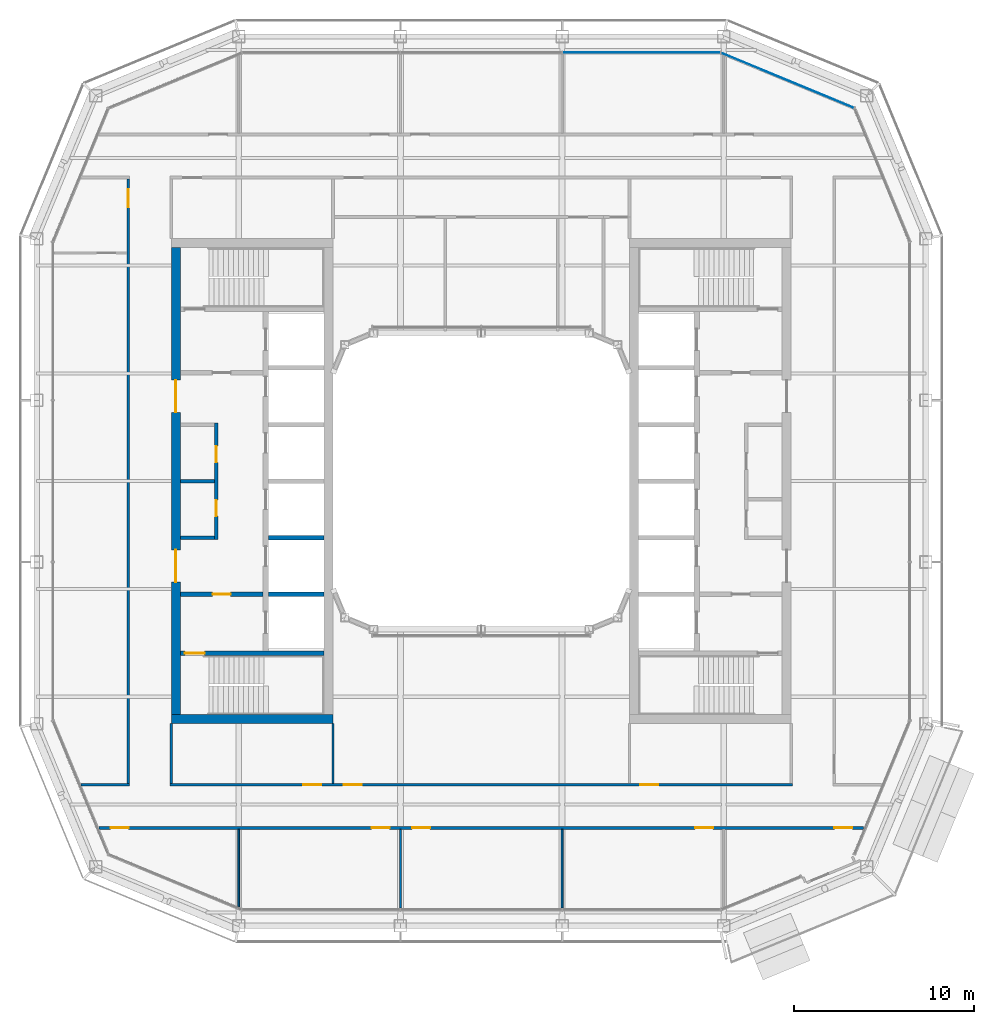
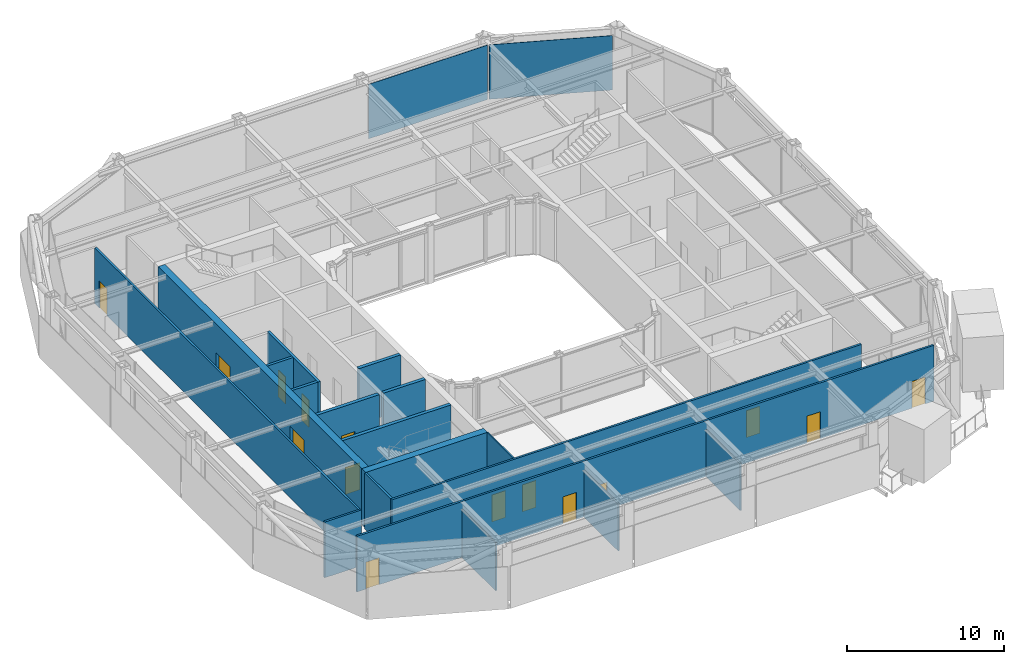
# One storey, part 11 of 21: 18 walls, 15 doors, 2 plates, 15 openings, 2 elements without a shape of their own.
"""IFC4 building model written with IfcOpenShell, lengths in metres."""

from ifc_helpers import new_model, si_unit, direction, frame, frame_2d, origin, origin_2d, place, context, subcontext, project, spatial, rectangle, extrude, material, layer, layer_set, type_object, element, fill, aggregate, save


model = new_model("IFC4")

# Units and contexts
model_context = context("Model", 3, precision=1e-05, world=origin(), true_north=direction((0.0, 1.0)))
body_context = subcontext(model_context, "Body", "Model", "MODEL_VIEW")
ifc_project = project(units=[si_unit("LENGTHUNIT", "METRE"), si_unit("AREAUNIT", "SQUARE_METRE"), si_unit("VOLUMEUNIT", "CUBIC_METRE"), si_unit("PLANEANGLEUNIT", "RADIAN"), si_unit("MASSUNIT", "GRAM", prefix="KILO")], contexts=[model_context])

# Site, building, storey
site_placement = place(None, origin())
site = spatial("IfcSite", under=ifc_project, at=site_placement, CompositionType="ELEMENT")
building_placement = place(site_placement, origin())
building = spatial("IfcBuilding", under=site, at=building_placement, Name="Siwar Civic Tower", CompositionType="ELEMENT")
storey_placement = place(building_placement, frame((0.0, 0.0, 339.199951171875)))
storey = spatial("IfcBuildingStorey", under=building, at=storey_placement, Name="L73", CompositionType="ELEMENT", Elevation=339.199951171875)

# Curtain wall, plate
ifc_material_1 = material(Name="Aluminium and glass", Category="aluminium")
ifc_layer_1 = layer(ifc_material_1, 0.159912109375)
ifc_layer_set_1 = layer_set([ifc_layer_1], Name="Aluminium and glass")
curtain_wall_type_1 = type_object("IfcCurtainWallType", Name="ENV-CW-D", PredefinedType="NOTDEFINED", material=ifc_layer_set_1)
curtain_wall_1_placement = place(storey_placement, origin())
curtain_wall_1 = element("IfcCurtainWall", 1, at=curtain_wall_1_placement, inside=storey, type_object=curtain_wall_type_1, Name="Curtain wall D N", PredefinedType="NOTDEFINED")
ifc_material_2 = material(Name="Glass clear laminated", Category="glass")
ifc_layer_2 = layer(ifc_material_2, 0.030029296875)
ifc_layer_set_2 = layer_set([ifc_layer_2], Name="Glass clear laminated")
plate_type_1 = type_object("IfcPlateType", Name="ENV-PANEL-D", PredefinedType="CURTAIN_PANEL", material=ifc_layer_set_2)
plate_1_placement = place(storey_placement, frame((8.910400390625, 23.85009765625, 0.10009765625), z_axis=(0.0, 0.0, 1.0), x_axis=(-1.0, 0.0, 0.0)))
plate_1 = element("IfcPlate", 2, at=plate_1_placement, type_object=plate_type_1, Name="Curtain panel D N 1", PredefinedType="CURTAIN_PANEL", context=body_context, shape_type="SweptSolid", body=[
    extrude(rectangle(XDim=8.760986328125, YDim=0.030029296875, at=origin_2d()), origin(), (0.0, 0.0, 1.0), 4.25),
])
aggregate(curtain_wall_1, [plate_1])

ifc_material_3 = material(Name="Aluminium clad insulated panel", Category="aluminium")
ifc_layer_3 = layer(ifc_material_3, 0.159912109375)
ifc_layer_set_3 = layer_set([ifc_layer_3], Name="Aluminium clad insulated panel")
curtain_wall_type_2 = type_object("IfcCurtainWallType", Name="ENV-CW-DX", PredefinedType="NOTDEFINED", material=ifc_layer_set_3)
curtain_wall_2_placement = place(storey_placement, origin())
curtain_wall_2 = element("IfcCurtainWall", 3, at=curtain_wall_2_placement, inside=storey, type_object=curtain_wall_type_2, Name="Curtain wall D NE2", PredefinedType="NOTDEFINED")
ifc_material_4 = material(Name="Aluminium clad insulated panel", Category="aluminium")
ifc_layer_4 = layer(ifc_material_4, 0.030029296875)
ifc_layer_set_4 = layer_set([ifc_layer_4], Name="Aluminium clad insulated panel")
plate_type_2 = type_object("IfcPlateType", Name="ENV-PANEL-DX", PredefinedType="CURTAIN_PANEL", material=ifc_layer_set_4)
plate_2_placement = place(storey_placement, frame((17.074951171875, 22.295166015625, 0.10009765625), z_axis=(0.0, 0.0, 1.0), x_axis=(-0.923879532511, 0.382683432365, 0.0)))
plate_2 = element("IfcPlate", 4, at=plate_2_placement, type_object=plate_type_2, Name="Curtain panel D NE2 1", PredefinedType="CURTAIN_PANEL", context=body_context, shape_type="SweptSolid", body=[
    extrude(rectangle(XDim=7.9306640625, YDim=0.030029296875, at=origin_2d()), origin(), (0.0, 0.0, 1.0), 4.25),
])
aggregate(curtain_wall_2, [plate_2])

# Wall, openings, doors
ifc_material_5 = material(Name="Gypsum board on steel studs", Category="steel")
ifc_layer_5 = layer(ifc_material_5, 0.199951171875)
ifc_layer_set_5 = layer_set([ifc_layer_5], Name="Gypsum board on steel studs")
wall_type_1 = type_object("IfcWallType", Name="CORE-PARTITION-200", PredefinedType="PARTITIONING", material=ifc_layer_set_5)
wall_1_placement = place(storey_placement, frame((-14.75, -3.25, 0.0), z_axis=(0.0, 0.0, 1.0), x_axis=(0.0, 1.0, 0.0)))
wall_1 = element("IfcWall", 5, at=wall_1_placement, inside=storey, type_object=wall_type_1, Name="Core partition W", PredefinedType="PARTITIONING", context=body_context, shape_type="SweptSolid", body=[
    extrude(rectangle(XDim=6.5, YDim=0.199951171875, at=frame_2d((3.25, 0.0))), origin(), (0.0, 0.0, 1.0), 4.35009765625),
])
opening_1_placement = place(wall_1_placement, frame((1.300048828125, 0.0, 0.0)))
opening_1 = element("IfcOpeningElement", 6, at=opening_1_placement, cuts=wall_1, Name="Opening L73-CW13", PredefinedType="OPENING", context=body_context, shape_type="SweptSolid", body=[
    extrude(rectangle(XDim=0.89990234375, YDim=2.10009765625, at=frame_2d((0.449951171875, 1.050048828125))), frame((0.0, 0.10986328125, 0.0), z_axis=(0.0, -1.0, 0.0), x_axis=(1.0, 0.0, 0.0)), (0.0, 0.0, 1.0), 0.219970703125),
])
opening_2_placement = place(wall_1_placement, frame((4.300048828125, 0.0, 0.0)))
opening_2 = element("IfcOpeningElement", 7, at=opening_2_placement, cuts=wall_1, Name="Opening L73-CW14", PredefinedType="OPENING", context=body_context, shape_type="SweptSolid", body=[
    extrude(rectangle(XDim=0.89990234375, YDim=2.10009765625, at=frame_2d((0.449951171875, 1.050048828125))), frame((0.0, 0.10986328125, 0.0), z_axis=(0.0, -1.0, 0.0), x_axis=(1.0, 0.0, 0.0)), (0.0, 0.0, 1.0), 0.219970703125),
])
ifc_material_6 = material(Name="Steel door leaf", Category="steel")
door_type_1 = type_object("IfcDoorType", Name="CORE-DOOR-ROOM", OperationType="SINGLE_SWING_LEFT", PredefinedType="DOOR", material=ifc_material_6)
door_1_placement = place(opening_1_placement, origin())
door_1 = element("IfcDoor", 8, at=door_1_placement, inside=storey, type_object=door_type_1, Name="Core room door L73-CW13", OperationType="SINGLE_SWING_LEFT", OverallHeight=2.10009765625, OverallWidth=0.89990234375, PredefinedType="DOOR", context=body_context, shape_type="SweptSolid", body=[
    extrude(rectangle(XDim=0.89990234375, YDim=2.10009765625, at=frame_2d((0.449951171875, 1.050048828125))), frame((0.0, 0.02490234375, 0.0), z_axis=(0.0, -1.0, 0.0), x_axis=(1.0, 0.0, 0.0)), (0.0, 0.0, 1.0), 0.050048828125),
])
fill(opening_1, door_1)
door_2_placement = place(opening_2_placement, origin())
door_2 = element("IfcDoor", 9, at=door_2_placement, inside=storey, type_object=door_type_1, Name="Core room door L73-CW14", OperationType="SINGLE_SWING_RIGHT", OverallHeight=2.10009765625, OverallWidth=0.89990234375, PredefinedType="DOOR", context=body_context, shape_type="SweptSolid", body=[
    extrude(rectangle(XDim=0.89990234375, YDim=2.10009765625, at=frame_2d((0.449951171875, 1.050048828125))), frame((0.0, 0.02490234375, 0.0), z_axis=(0.0, -1.0, 0.0), x_axis=(1.0, 0.0, 0.0)), (0.0, 0.0, 1.0), 0.050048828125),
])
fill(opening_2, door_2)

# Walls
for number, where, z_axis, x_axis, name in (
    (10, (-14.85009765625, -3.14990234375, 0.0), (0.0, 0.0, 1.0), (-1.0, 0.0, 0.0), "Core partition W"),
    (11, (-14.85009765625, 0.0, 0.0), (0.0, 0.0, 1.0), (-1.0, 0.0, 0.0), "Core partition W"),
):
    element("IfcWall", number, at=place(storey_placement, frame(where, z_axis=z_axis, x_axis=x_axis)), inside=storey, type_object=wall_type_1, Name=name, PredefinedType="PARTITIONING", context=body_context, shape_type="SweptSolid", body=[
        extrude(rectangle(XDim=1.89990234375, YDim=0.199951171875, at=frame_2d((0.949951171875, 0.0))), origin(), (0.0, 0.0, 1.0), 4.35009765625),
    ])

# Wall, opening, door
ifc_material_7 = material(Name="Concrete C60/75", Category="concrete")
ifc_layer_6 = layer(ifc_material_7, 0.25)
ifc_layer_set_6 = layer_set([ifc_layer_6], Name="Concrete C60/75")
wall_type_2 = type_object("IfcWallType", Name="CORE-WALL-RC250", PredefinedType="SHEAR", material=ifc_layer_set_6)
wall_2_placement = place(storey_placement, frame((-12.14990234375, -6.300048828125, 0.0), z_axis=(0.0, 0.0, 1.0), x_axis=(-1.0, 0.0, 0.0)))
wall_2 = element("IfcWall", 12, at=wall_2_placement, inside=storey, type_object=wall_type_2, Name="Core wall W", PredefinedType="SHEAR", context=body_context, shape_type="SweptSolid", body=[
    extrude(rectangle(XDim=4.60009765625, YDim=0.25, at=frame_2d((2.300048828125, 0.0))), origin(), (0.0, 0.0, 1.0), 4.35009765625),
])
opening_3_placement = place(wall_2_placement, frame((1.800048828125, 0.0, 0.0)))
opening_3 = element("IfcOpeningElement", 13, at=opening_3_placement, cuts=wall_2, Name="Opening L73-CW02", PredefinedType="OPENING", context=body_context, shape_type="SweptSolid", body=[
    extrude(rectangle(XDim=1.0, YDim=2.10009765625, at=frame_2d((0.5, 1.050048828125))), frame((0.0, 0.135009765625, 0.0), z_axis=(0.0, -1.0, 0.0), x_axis=(1.0, 0.0, 0.0)), (0.0, 0.0, 1.0), 0.27001953125),
])
ifc_material_8 = material(Name="Steel door leaf", Category="steel")
door_type_2 = type_object("IfcDoorType", Name="CORE-DOOR-FD30S", OperationType="SINGLE_SWING_LEFT", PredefinedType="DOOR", material=ifc_material_8)
door_3_placement = place(opening_3_placement, origin())
door_3 = element("IfcDoor", 14, at=door_3_placement, inside=storey, type_object=door_type_2, Name="Service lobby door L73-CW02", OperationType="SINGLE_SWING_RIGHT", OverallHeight=2.10009765625, OverallWidth=1.0, PredefinedType="DOOR", context=body_context, shape_type="SweptSolid", body=[
    extrude(rectangle(XDim=1.0, YDim=2.10009765625, at=frame_2d((0.5, 1.050048828125))), frame((0.0, 0.02490234375, 0.0), z_axis=(0.0, -1.0, 0.0), x_axis=(1.0, 0.0, 0.0)), (0.0, 0.0, 1.0), 0.050048828125),
])
fill(opening_3, door_3)

# Walls
for number, where, z_axis, x_axis, name in (
    (15, (-8.75, -3.14990234375, 0.0), (0.0, 0.0, 1.0), (-1.0, 0.0, 0.0), "Core wall W"),
    (16, (-8.75, -6.300048828125, 0.0), (0.0, 0.0, 1.0), (-1.0, 0.0, 0.0), "Core wall W"),
):
    element("IfcWall", number, at=place(storey_placement, frame(where, z_axis=z_axis, x_axis=x_axis)), inside=storey, type_object=wall_type_2, Name=name, PredefinedType="SHEAR", context=body_context, shape_type="SweptSolid", body=[
        extrude(rectangle(XDim=3.10009765625, YDim=0.25, at=frame_2d((1.550048828125, 0.0))), origin(), (0.0, 0.0, 1.0), 4.35009765625),
    ])

# Wall, opening, door
wall_3_placement = place(storey_placement, frame((-8.75, -9.574951171875, 0.0), z_axis=(0.0, 0.0, 1.0), x_axis=(-1.0, 0.0, 0.0)))
wall_3 = element("IfcWall", 17, at=wall_3_placement, inside=storey, type_object=wall_type_2, Name="Core wall W", PredefinedType="SHEAR", context=body_context, shape_type="SweptSolid", body=[
    extrude(rectangle(XDim=8.0, YDim=0.25, at=frame_2d((4.0, 0.0))), origin(), (0.0, 0.0, 1.0), 4.35009765625),
])
opening_4_placement = place(wall_3_placement, frame((6.64990234375, 0.0, 0.0)))
opening_4 = element("IfcOpeningElement", 18, at=opening_4_placement, cuts=wall_3, Name="Opening L73-CW04", PredefinedType="OPENING", context=body_context, shape_type="SweptSolid", body=[
    extrude(rectangle(XDim=1.10009765625, YDim=2.10009765625, at=frame_2d((0.550048828125, 1.050048828125))), frame((0.0, 0.135009765625, 0.0), z_axis=(0.0, -1.0, 0.0), x_axis=(1.0, 0.0, 0.0)), (0.0, 0.0, 1.0), 0.27001953125),
])
ifc_material_9 = material(Name="Steel door leaf", Category="steel")
door_type_3 = type_object("IfcDoorType", Name="CORE-DOOR-FD60S", OperationType="SINGLE_SWING_LEFT", PredefinedType="DOOR", material=ifc_material_9)
door_4_placement = place(opening_4_placement, origin())
door_4 = element("IfcDoor", 19, at=door_4_placement, inside=storey, type_object=door_type_3, Name="Stair door L73-CW04", OperationType="SINGLE_SWING_LEFT", OverallHeight=2.10009765625, OverallWidth=1.10009765625, PredefinedType="DOOR", context=body_context, shape_type="SweptSolid", body=[
    extrude(rectangle(XDim=1.10009765625, YDim=2.10009765625, at=frame_2d((0.550048828125, 1.050048828125))), frame((0.0, 0.02490234375, 0.0), z_axis=(0.0, -1.0, 0.0), x_axis=(1.0, 0.0, 0.0)), (0.0, 0.0, 1.0), 0.050048828125),
])
fill(opening_4, door_4)

# Wall, openings, doors
ifc_material_10 = material(Name="Concrete C60/75", Category="concrete")
ifc_layer_7 = layer(ifc_material_10, 0.5)
ifc_layer_set_7 = layer_set([ifc_layer_7], Name="Concrete C60/75")
wall_type_3 = type_object("IfcWallType", Name="CORE-WALL-RC500", PredefinedType="SHEAR", material=ifc_layer_set_7)
wall_4_placement = place(storey_placement, frame((-17.0, -13.0, 0.0), z_axis=(0.0, 0.0, 1.0), x_axis=(0.0, 1.0, 0.0)))
wall_4 = element("IfcWall", 20, at=wall_4_placement, inside=storey, type_object=wall_type_3, Name="Core wall W", PredefinedType="SHEAR", context=body_context, shape_type="SweptSolid", body=[
    extrude(rectangle(XDim=26.0, YDim=0.5, at=frame_2d((13.0, 0.0))), origin(), (0.0, 0.0, 1.0), 4.35009765625),
])
opening_5_placement = place(wall_4_placement, frame((16.824951171875, 0.0, 0.0)))
opening_5 = element("IfcOpeningElement", 21, at=opening_5_placement, cuts=wall_4, Name="Opening L73-CW05", PredefinedType="OPENING", context=body_context, shape_type="SweptSolid", body=[
    extrude(rectangle(XDim=1.800048828125, YDim=2.10009765625, at=frame_2d((0.89990234375, 1.050048828125))), frame((0.0, 0.260009765625, 0.0), z_axis=(0.0, -1.0, 0.0), x_axis=(1.0, 0.0, 0.0)), (0.0, 0.0, 1.0), 0.52001953125),
])
opening_6_placement = place(wall_4_placement, frame((7.375, 0.0, 0.0)))
opening_6 = element("IfcOpeningElement", 22, at=opening_6_placement, cuts=wall_4, Name="Opening L73-CW06", PredefinedType="OPENING", context=body_context, shape_type="SweptSolid", body=[
    extrude(rectangle(XDim=1.800048828125, YDim=2.10009765625, at=frame_2d((0.89990234375, 1.050048828125))), frame((0.0, 0.260009765625, 0.0), z_axis=(0.0, -1.0, 0.0), x_axis=(1.0, 0.0, 0.0)), (0.0, 0.0, 1.0), 0.52001953125),
])
ifc_material_11 = material(Name="Steel door leaf", Category="steel")
door_type_4 = type_object("IfcDoorType", Name="CORE-DOOR-PORT", OperationType="DOUBLE_DOOR_DOUBLE_SWING", PredefinedType="DOOR", material=ifc_material_11)
door_5_placement = place(opening_5_placement, origin())
door_5 = element("IfcDoor", 23, at=door_5_placement, inside=storey, type_object=door_type_4, Name="Core entrance door L73-CW05", OperationType="DOUBLE_DOOR_DOUBLE_SWING", OverallHeight=2.10009765625, OverallWidth=1.800048828125, PredefinedType="DOOR", context=body_context, shape_type="SweptSolid", body=[
    extrude(rectangle(XDim=1.800048828125, YDim=2.10009765625, at=frame_2d((0.89990234375, 1.050048828125))), frame((0.0, 0.02490234375, 0.0), z_axis=(0.0, -1.0, 0.0), x_axis=(1.0, 0.0, 0.0)), (0.0, 0.0, 1.0), 0.050048828125),
])
fill(opening_5, door_5)
door_6_placement = place(opening_6_placement, origin())
door_6 = element("IfcDoor", 24, at=door_6_placement, inside=storey, type_object=door_type_4, Name="Core entrance door L73-CW06", OperationType="DOUBLE_DOOR_DOUBLE_SWING", OverallHeight=2.10009765625, OverallWidth=1.800048828125, PredefinedType="DOOR", context=body_context, shape_type="SweptSolid", body=[
    extrude(rectangle(XDim=1.800048828125, YDim=2.10009765625, at=frame_2d((0.89990234375, 1.050048828125))), frame((0.0, 0.02490234375, 0.0), z_axis=(0.0, -1.0, 0.0), x_axis=(1.0, 0.0, 0.0)), (0.0, 0.0, 1.0), 0.050048828125),
])
fill(opening_6, door_6)

# Wall
wall_5_placement = place(storey_placement, frame((-8.25, -13.25, 0.0), z_axis=(0.0, 0.0, 1.0), x_axis=(-1.0, 0.0, 0.0)))
element("IfcWall", 25, at=wall_5_placement, inside=storey, type_object=wall_type_3, Name="Core wall W", PredefinedType="SHEAR", context=body_context, shape_type="SweptSolid", body=[
    extrude(rectangle(XDim=9.0, YDim=0.5, at=frame_2d((4.5, 0.0))), origin(), (0.0, 0.0, 1.0), 4.35009765625),
])

# Wall, openings, doors
ifc_material_12 = material(Name="Gypsum board on steel studs", Category="steel")
ifc_layer_8 = layer(ifc_material_12, 0.14990234375)
ifc_layer_set_8 = layer_set([ifc_layer_8], Name="Gypsum board on steel studs")
wall_type_4 = type_object("IfcWallType", Name="CORRIDOR PARTITION 150 EI 30", PredefinedType="PARTITIONING", material=ifc_layer_set_8)
wall_6_placement = place(storey_placement, frame((-21.27587890625, -19.300048828125, 0.0), z_axis=(0.0, 0.0, 1.0), x_axis=(1.0, 0.0, 0.0)))
wall_6 = element("IfcWall", 26, at=wall_6_placement, inside=storey, type_object=wall_type_4, Name="L73/wall/P01", PredefinedType="PARTITIONING", context=body_context, shape_type="SweptSolid", body=[
    extrude(rectangle(XDim=42.5517578125, YDim=0.14990234375, at=frame_2d((21.27587890625, 0.0))), origin(), (0.0, 0.0, 1.0), 4.35009765625),
])
opening_7_placement = place(wall_6_placement, frame((15.176025390625, 0.0, 0.0)))
opening_7 = element("IfcOpeningElement", 27, at=opening_7_placement, cuts=wall_6, Name="Opening D1", PredefinedType="OPENING", context=body_context, shape_type="SweptSolid", body=[
    extrude(rectangle(XDim=1.0, YDim=2.10009765625, at=frame_2d((0.5, 1.050048828125))), frame((0.0, 0.0849609375, 0.0), z_axis=(0.0, -1.0, 0.0), x_axis=(1.0, 0.0, 0.0)), (0.0, 0.0, 1.0), 0.169921875),
])
opening_8_placement = place(wall_6_placement, frame((17.426025390625, 0.0, 0.0)))
opening_8 = element("IfcOpeningElement", 28, at=opening_8_placement, cuts=wall_6, Name="Opening D1", PredefinedType="OPENING", context=body_context, shape_type="SweptSolid", body=[
    extrude(rectangle(XDim=1.0, YDim=2.10009765625, at=frame_2d((0.5, 1.050048828125))), frame((0.0, 0.0849609375, 0.0), z_axis=(0.0, -1.0, 0.0), x_axis=(1.0, 0.0, 0.0)), (0.0, 0.0, 1.0), 0.169921875),
])
opening_9_placement = place(wall_6_placement, frame((33.176025390625, 0.0, 0.0)))
opening_9 = element("IfcOpeningElement", 29, at=opening_9_placement, cuts=wall_6, Name="Opening D1", PredefinedType="OPENING", context=body_context, shape_type="SweptSolid", body=[
    extrude(rectangle(XDim=1.0, YDim=2.10009765625, at=frame_2d((0.5, 1.050048828125))), frame((0.0, 0.0849609375, 0.0), z_axis=(0.0, -1.0, 0.0), x_axis=(1.0, 0.0, 0.0)), (0.0, 0.0, 1.0), 0.169921875),
])
opening_10_placement = place(wall_6_placement, frame((0.64990234375, 0.0, 0.0)))
opening_10 = element("IfcOpeningElement", 30, at=opening_10_placement, cuts=wall_6, Name="Opening D1", PredefinedType="OPENING", context=body_context, shape_type="SweptSolid", body=[
    extrude(rectangle(XDim=1.0, YDim=2.10009765625, at=frame_2d((0.5, 1.050048828125))), frame((0.0, 0.0849609375, 0.0), z_axis=(0.0, -1.0, 0.0), x_axis=(1.0, 0.0, 0.0)), (0.0, 0.0, 1.0), 0.169921875),
])
opening_11_placement = place(wall_6_placement, frame((40.926025390625, 0.0, 0.0)))
opening_11 = element("IfcOpeningElement", 31, at=opening_11_placement, cuts=wall_6, Name="Opening D1", PredefinedType="OPENING", context=body_context, shape_type="SweptSolid", body=[
    extrude(rectangle(XDim=1.0, YDim=2.10009765625, at=frame_2d((0.5, 1.050048828125))), frame((0.0, 0.0849609375, 0.0), z_axis=(0.0, -1.0, 0.0), x_axis=(1.0, 0.0, 0.0)), (0.0, 0.0, 1.0), 0.169921875),
])
ifc_material_13 = material(Name="Timber, painted", Category="wood")
door_type_5 = type_object("IfcDoorType", Name="DOOR 1000 X 2100 FD30", OperationType="SINGLE_SWING_LEFT", PredefinedType="DOOR", material=ifc_material_13)
door_7_placement = place(opening_7_placement, origin())
door_7 = element("IfcDoor", 32, at=door_7_placement, inside=storey, type_object=door_type_5, Name="L73-D04", OperationType="SINGLE_SWING_RIGHT", OverallHeight=2.10009765625, OverallWidth=1.0, PredefinedType="DOOR", context=body_context, shape_type="SweptSolid", body=[
    extrude(rectangle(XDim=1.0, YDim=2.10009765625, at=frame_2d((0.5, 1.050048828125))), frame((0.0, 0.02490234375, 0.0), z_axis=(0.0, -1.0, 0.0), x_axis=(1.0, 0.0, 0.0)), (0.0, 0.0, 1.0), 0.050048828125),
])
fill(opening_7, door_7)
door_8_placement = place(opening_8_placement, origin())
door_8 = element("IfcDoor", 33, at=door_8_placement, inside=storey, type_object=door_type_5, Name="L73-D05", OperationType="SINGLE_SWING_LEFT", OverallHeight=2.10009765625, OverallWidth=1.0, PredefinedType="DOOR", context=body_context, shape_type="SweptSolid", body=[
    extrude(rectangle(XDim=1.0, YDim=2.10009765625, at=frame_2d((0.5, 1.050048828125))), frame((0.0, 0.02490234375, 0.0), z_axis=(0.0, -1.0, 0.0), x_axis=(1.0, 0.0, 0.0)), (0.0, 0.0, 1.0), 0.050048828125),
])
fill(opening_8, door_8)
door_9_placement = place(opening_9_placement, origin())
door_9 = element("IfcDoor", 34, at=door_9_placement, inside=storey, type_object=door_type_5, Name="L73-D06", OperationType="SINGLE_SWING_RIGHT", OverallHeight=2.10009765625, OverallWidth=1.0, PredefinedType="DOOR", context=body_context, shape_type="SweptSolid", body=[
    extrude(rectangle(XDim=1.0, YDim=2.10009765625, at=frame_2d((0.5, 1.050048828125))), frame((0.0, 0.02490234375, 0.0), z_axis=(0.0, -1.0, 0.0), x_axis=(1.0, 0.0, 0.0)), (0.0, 0.0, 1.0), 0.050048828125),
])
fill(opening_9, door_9)
door_10_placement = place(opening_10_placement, origin())
door_10 = element("IfcDoor", 35, at=door_10_placement, inside=storey, type_object=door_type_5, Name="L73-D09", OperationType="SINGLE_SWING_LEFT", OverallHeight=2.10009765625, OverallWidth=1.0, PredefinedType="DOOR", context=body_context, shape_type="SweptSolid", body=[
    extrude(rectangle(XDim=1.0, YDim=2.10009765625, at=frame_2d((0.5, 1.050048828125))), frame((0.0, 0.02490234375, 0.0), z_axis=(0.0, -1.0, 0.0), x_axis=(1.0, 0.0, 0.0)), (0.0, 0.0, 1.0), 0.050048828125),
])
fill(opening_10, door_10)
door_11_placement = place(opening_11_placement, origin())
door_11 = element("IfcDoor", 36, at=door_11_placement, inside=storey, type_object=door_type_5, Name="L73-D10", OperationType="SINGLE_SWING_RIGHT", OverallHeight=2.10009765625, OverallWidth=1.0, PredefinedType="DOOR", context=body_context, shape_type="SweptSolid", body=[
    extrude(rectangle(XDim=1.0, YDim=2.10009765625, at=frame_2d((0.5, 1.050048828125))), frame((0.0, 0.02490234375, 0.0), z_axis=(0.0, -1.0, 0.0), x_axis=(1.0, 0.0, 0.0)), (0.0, 0.0, 1.0), 0.050048828125),
])
fill(opening_11, door_11)

# Wall
wall_7_placement = place(storey_placement, frame((-22.27001953125, -16.89990234375, 0.0), z_axis=(0.0, 0.0, 1.0), x_axis=(1.0, 0.0, 0.0)))
element("IfcWall", 37, at=wall_7_placement, inside=storey, type_object=wall_type_4, Name="L73/wall/P02", PredefinedType="PARTITIONING", context=body_context, shape_type="SweptSolid", body=[
    extrude(rectangle(XDim=2.695068359375, YDim=0.14990234375, at=frame_2d((1.34765625, 0.0))), origin(), (0.0, 0.0, 1.0), 4.35009765625),
])

# Wall, openings, doors
wall_8_placement = place(storey_placement, frame((-17.324951171875, -16.89990234375, 0.0), z_axis=(0.0, 0.0, 1.0), x_axis=(1.0, 0.0, 0.0)))
wall_8 = element("IfcWall", 38, at=wall_8_placement, inside=storey, type_object=wall_type_4, Name="L73/wall/P03", PredefinedType="PARTITIONING", context=body_context, shape_type="SweptSolid", body=[
    extrude(rectangle(XDim=34.64990234375, YDim=0.14990234375, at=frame_2d((17.324951171875, 0.0))), origin(), (0.0, 0.0, 1.0), 4.35009765625),
])
opening_12_placement = place(wall_8_placement, frame((9.675048828125, 0.0, 0.0)))
opening_12 = element("IfcOpeningElement", 39, at=opening_12_placement, cuts=wall_8, Name="Opening D1", PredefinedType="OPENING", context=body_context, shape_type="SweptSolid", body=[
    extrude(rectangle(XDim=1.0, YDim=2.10009765625, at=frame_2d((0.5, 1.050048828125))), frame((0.0, 0.0849609375, 0.0), z_axis=(0.0, -1.0, 0.0), x_axis=(1.0, 0.0, 0.0)), (0.0, 0.0, 1.0), 0.169921875),
])
opening_13_placement = place(wall_8_placement, frame((7.425048828125, 0.0, 0.0)))
opening_13 = element("IfcOpeningElement", 40, at=opening_13_placement, cuts=wall_8, Name="Opening D1", PredefinedType="OPENING", context=body_context, shape_type="SweptSolid", body=[
    extrude(rectangle(XDim=1.0, YDim=2.10009765625, at=frame_2d((0.5, 1.050048828125))), frame((0.0, 0.0849609375, 0.0), z_axis=(0.0, -1.0, 0.0), x_axis=(1.0, 0.0, 0.0)), (0.0, 0.0, 1.0), 0.169921875),
])
opening_14_placement = place(wall_8_placement, frame((26.175048828125, 0.0, 0.0)))
opening_14 = element("IfcOpeningElement", 41, at=opening_14_placement, cuts=wall_8, Name="Opening D1", PredefinedType="OPENING", context=body_context, shape_type="SweptSolid", body=[
    extrude(rectangle(XDim=1.0, YDim=2.10009765625, at=frame_2d((0.5, 1.050048828125))), frame((0.0, 0.0849609375, 0.0), z_axis=(0.0, -1.0, 0.0), x_axis=(1.0, 0.0, 0.0)), (0.0, 0.0, 1.0), 0.169921875),
])
door_12_placement = place(opening_12_placement, origin())
door_12 = element("IfcDoor", 42, at=door_12_placement, inside=storey, type_object=door_type_5, Name="L73-D16", OperationType="SINGLE_SWING_RIGHT", OverallHeight=2.10009765625, OverallWidth=1.0, PredefinedType="DOOR", context=body_context, shape_type="SweptSolid", body=[
    extrude(rectangle(XDim=1.0, YDim=2.10009765625, at=frame_2d((0.5, 1.050048828125))), frame((0.0, 0.02490234375, 0.0), z_axis=(0.0, -1.0, 0.0), x_axis=(1.0, 0.0, 0.0)), (0.0, 0.0, 1.0), 0.050048828125),
])
fill(opening_12, door_12)
door_13_placement = place(opening_13_placement, origin())
door_13 = element("IfcDoor", 43, at=door_13_placement, inside=storey, type_object=door_type_5, Name="L73-D19", OperationType="SINGLE_SWING_LEFT", OverallHeight=2.10009765625, OverallWidth=1.0, PredefinedType="DOOR", context=body_context, shape_type="SweptSolid", body=[
    extrude(rectangle(XDim=1.0, YDim=2.10009765625, at=frame_2d((0.5, 1.050048828125))), frame((0.0, 0.02490234375, 0.0), z_axis=(0.0, -1.0, 0.0), x_axis=(1.0, 0.0, 0.0)), (0.0, 0.0, 1.0), 0.050048828125),
])
fill(opening_13, door_13)
door_14_placement = place(opening_14_placement, origin())
door_14 = element("IfcDoor", 44, at=door_14_placement, inside=storey, type_object=door_type_5, Name="L73-D20", OperationType="SINGLE_SWING_RIGHT", OverallHeight=2.10009765625, OverallWidth=1.0, PredefinedType="DOOR", context=body_context, shape_type="SweptSolid", body=[
    extrude(rectangle(XDim=1.0, YDim=2.10009765625, at=frame_2d((0.5, 1.050048828125))), frame((0.0, 0.02490234375, 0.0), z_axis=(0.0, -1.0, 0.0), x_axis=(1.0, 0.0, 0.0)), (0.0, 0.0, 1.0), 0.050048828125),
])
fill(opening_14, door_14)

# Wall, opening, door
wall_9_placement = place(storey_placement, frame((-19.64990234375, -16.824951171875, 0.0), z_axis=(0.0, 0.0, 1.0), x_axis=(0.0, 1.0, 0.0)))
wall_9 = element("IfcWall", 45, at=wall_9_placement, inside=storey, type_object=wall_type_4, Name="L73/wall/P12", PredefinedType="PARTITIONING", context=body_context, shape_type="SweptSolid", body=[
    extrude(rectangle(XDim=33.64990234375, YDim=0.14990234375, at=frame_2d((16.824951171875, 0.0))), origin(), (0.0, 0.0, 1.0), 4.35009765625),
])
opening_15_placement = place(wall_9_placement, frame((32.074951171875, 0.0, 0.0)))
opening_15 = element("IfcOpeningElement", 46, at=opening_15_placement, cuts=wall_9, Name="Opening D1", PredefinedType="OPENING", context=body_context, shape_type="SweptSolid", body=[
    extrude(rectangle(XDim=1.0, YDim=2.10009765625, at=frame_2d((0.5, 1.050048828125))), frame((0.0, 0.0849609375, 0.0), z_axis=(0.0, -1.0, 0.0), x_axis=(1.0, 0.0, 0.0)), (0.0, 0.0, 1.0), 0.169921875),
])
door_15_placement = place(opening_15_placement, origin())
door_15 = element("IfcDoor", 47, at=door_15_placement, inside=storey, type_object=door_type_5, Name="L73-D21", OperationType="SINGLE_SWING_LEFT", OverallHeight=2.10009765625, OverallWidth=1.0, PredefinedType="DOOR", context=body_context, shape_type="SweptSolid", body=[
    extrude(rectangle(XDim=1.0, YDim=2.10009765625, at=frame_2d((0.5, 1.050048828125))), frame((0.0, 0.02490234375, 0.0), z_axis=(0.0, -1.0, 0.0), x_axis=(1.0, 0.0, 0.0)), (0.0, 0.0, 1.0), 0.050048828125),
])
fill(opening_15, door_15)

# Walls
wall_10_placement = place(storey_placement, frame((-17.25, -16.824951171875, 0.0), z_axis=(0.0, 0.0, 1.0), x_axis=(0.0, 1.0, 0.0)))
element("IfcWall", 48, at=wall_10_placement, inside=storey, type_object=wall_type_4, Name="L73/wall/P13", PredefinedType="PARTITIONING", context=body_context, shape_type="SweptSolid", body=[
    extrude(rectangle(XDim=3.324951171875, YDim=0.14990234375, at=frame_2d((1.66259765625, 0.0))), origin(), (0.0, 0.0, 1.0), 4.35009765625),
])
ifc_material_14 = material(Name="Gypsum board on steel studs", Category="steel")
ifc_layer_9 = layer(ifc_material_14, 0.10009765625)
ifc_layer_set_9 = layer_set([ifc_layer_9], Name="Gypsum board on steel studs")
wall_type_5 = type_object("IfcWallType", Name="PARTITION 100 GYPSUM", PredefinedType="PARTITIONING", material=ifc_layer_set_9)
wall_11_placement = place(storey_placement, frame((-13.5, -23.677978515625, 0.0), z_axis=(0.0, 0.0, 1.0), x_axis=(0.0, 1.0, 0.0)))
element("IfcWall", 49, at=wall_11_placement, inside=storey, type_object=wall_type_5, Name="L73/wall/P15", PredefinedType="PARTITIONING", context=body_context, shape_type="SweptSolid", body=[
    extrude(rectangle(XDim=4.302978515625, YDim=0.10009765625, at=frame_2d((2.1513671875, 0.0))), origin(), (0.0, 0.0, 1.0), 3.75),
])
wall_12_placement = place(storey_placement, frame((-8.25, -16.824951171875, 0.0), z_axis=(0.0, 0.0, 1.0), x_axis=(0.0, 1.0, 0.0)))
element("IfcWall", 50, at=wall_12_placement, inside=storey, type_object=wall_type_5, Name="L73/wall/P17", PredefinedType="PARTITIONING", context=body_context, shape_type="SweptSolid", body=[
    extrude(rectangle(XDim=3.324951171875, YDim=0.10009765625, at=frame_2d((1.66259765625, 0.0))), origin(), (0.0, 0.0, 1.0), 4.35009765625),
])
for number, where, z_axis, x_axis, name in (
    (51, (-4.5, -23.760009765625, 0.0), (0.0, 0.0, 1.0), (0.0, 1.0, 0.0), "L73/wall/P19"),
    (52, (4.5, -23.760009765625, 0.0), (0.0, 0.0, 1.0), (0.0, 1.0, 0.0), "L73/wall/P23"),
):
    element("IfcWall", number, at=place(storey_placement, frame(where, z_axis=z_axis, x_axis=x_axis)), inside=storey, type_object=wall_type_5, Name=name, PredefinedType="PARTITIONING", context=body_context, shape_type="SweptSolid", body=[
        extrude(rectangle(XDim=4.385009765625, YDim=0.10009765625, at=frame_2d((2.1923828125, 0.0))), origin(), (0.0, 0.0, 1.0), 3.650146484375),
    ])

save(model, "model.ifc")
